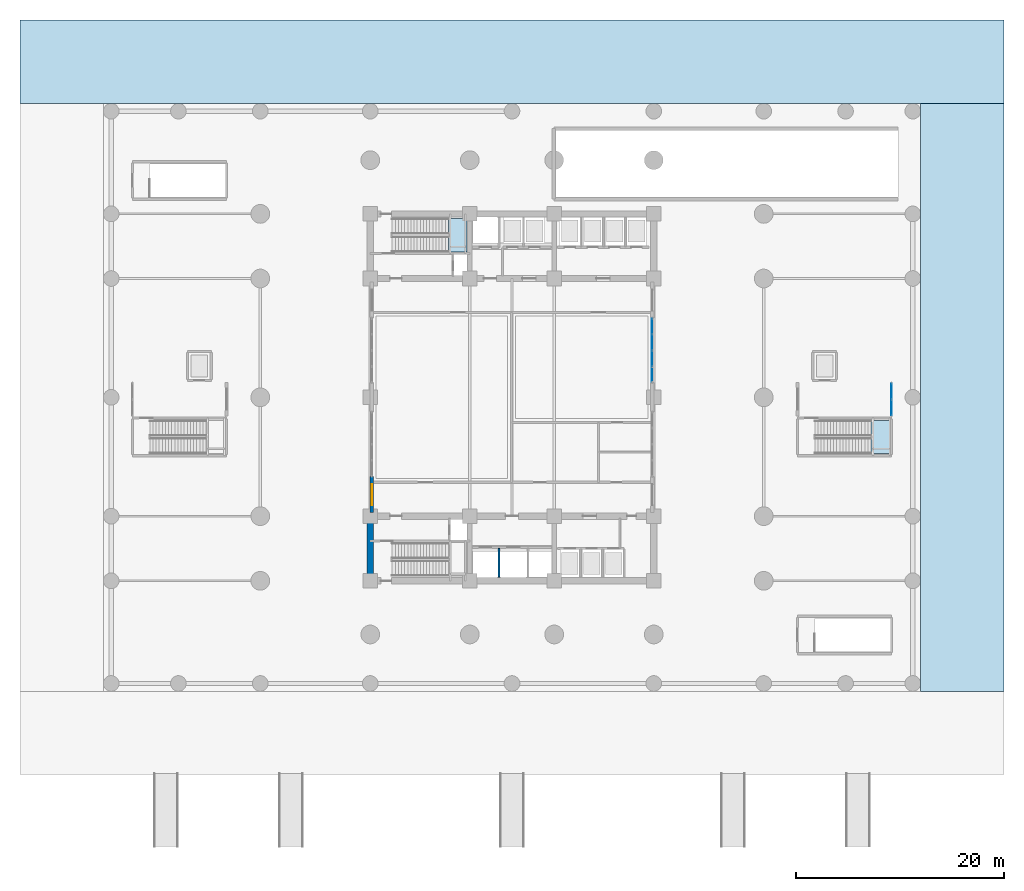
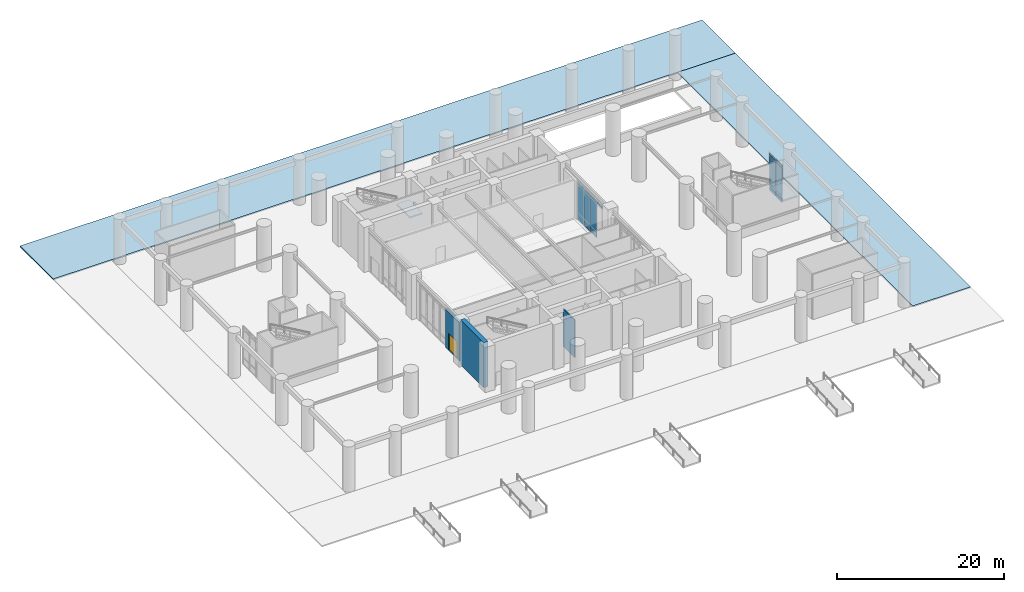
# One storey, part 6 of 16: 16 plates, 4 slabs, 3 walls, 1 door, 1 opening, 4 elements without a shape of their own.
"""IFC4 building model written with IfcOpenShell, lengths in metres."""

from ifc_helpers import new_model, si_unit, direction, frame, frame_2d, origin, origin_2d, place, context, subcontext, project, spatial, polyline, rectangle, outline, extrude, material, layer, layer_set, type_object, element, fill, aggregate, save


model = new_model("IFC4")

# Units and contexts
model_context = context("Model", 3, precision=1e-05, world=origin(), true_north=direction((0.0, 1.0)))
body_context = subcontext(model_context, "Body", "Model", "MODEL_VIEW")
ifc_project = project(units=[si_unit("LENGTHUNIT", "METRE"), si_unit("AREAUNIT", "SQUARE_METRE"), si_unit("VOLUMEUNIT", "CUBIC_METRE"), si_unit("PLANEANGLEUNIT", "RADIAN"), si_unit("MASSUNIT", "GRAM", prefix="KILO")], contexts=[model_context])

# Site, building, storey
site_placement = place(None, origin())
site = spatial("IfcSite", under=ifc_project, at=site_placement, CompositionType="ELEMENT")
building_placement = place(site_placement, origin())
building = spatial("IfcBuilding", under=site, at=building_placement, Name="Svetorya Sky Lyceum", CompositionType="ELEMENT")
storey_placement = place(building_placement, origin())
storey = spatial("IfcBuildingStorey", under=building, at=storey_placement, Name="L00", CompositionType="ELEMENT", Elevation=0.0)

# Curtain wall, plates
ifc_material_1 = material(Name="Thermally broken anodized aluminium and triple low-E glass", Category="aluminium")
curtain_wall_type = type_object("IfcCurtainWallType", Name="CW1-POD-FOY", PredefinedType="NOTDEFINED", material=ifc_material_1)
curtain_wall_1_placement = place(storey_placement, origin())
curtain_wall_1 = element("IfcCurtainWall", 1, at=curtain_wall_1_placement, inside=storey, type_object=curtain_wall_type, Name="Pilotis Foyer Curtain Wall CW-1.E2", PredefinedType="NOTDEFINED")
ifc_material_2 = material(Name="Triple insulated low-E solar-control glass", Category="glass")
ifc_layer_1 = layer(ifc_material_2, 0.048095703125)
ifc_layer_set_1 = layer_set([ifc_layer_1], Name="Triple insulated low-E solar-control glass")
plate_type = type_object("IfcPlateType", Name="CWP-GLZ-48", PredefinedType="CURTAIN_PANEL", material=ifc_layer_set_1)
plate_1_placement = place(storey_placement, frame((52.64990234375, 30.393798828125, 5.166015625), z_axis=(0.0, 0.0, 1.0), x_axis=(0.0, 1.0, 0.0)))
plate_1 = element("IfcPlate", 2, at=plate_1_placement, type_object=plate_type, Name="CW-1 panel 1.3", PredefinedType="CURTAIN_PANEL", context=body_context, shape_type="SweptSolid", body=[
    extrude(rectangle(XDim=1.4404296875, YDim=0.048095703125, at=origin_2d()), origin(), (0.0, 0.0, 1.0), 0.340576171875),
])
plate_2_placement = place(storey_placement, frame((52.64990234375, 31.925048828125, 0.073486328125), z_axis=(0.0, 0.0, 1.0), x_axis=(0.0, 1.0, 0.0)))
plate_2 = element("IfcPlate", 3, at=plate_2_placement, type_object=plate_type, Name="CW-1 panel 2.1", PredefinedType="CURTAIN_PANEL", context=body_context, shape_type="SweptSolid", body=[
    extrude(rectangle(XDim=1.47802734375, YDim=0.048095703125, at=origin_2d()), origin(), (0.0, 0.0, 1.0), 0.9404296875),
])
plate_3_placement = place(storey_placement, frame((52.64990234375, 31.925048828125, 1.0859375), z_axis=(0.0, 0.0, 1.0), x_axis=(0.0, 1.0, 0.0)))
plate_3 = element("IfcPlate", 4, at=plate_3_placement, type_object=plate_type, Name="CW-1 panel 2.2", PredefinedType="CURTAIN_PANEL", context=body_context, shape_type="SweptSolid", body=[
    extrude(rectangle(XDim=1.47802734375, YDim=0.048095703125, at=origin_2d()), origin(), (0.0, 0.0, 1.0), 4.008056640625),
])
plate_4_placement = place(storey_placement, frame((52.64990234375, 31.925048828125, 5.166015625), z_axis=(0.0, 0.0, 1.0), x_axis=(0.0, 1.0, 0.0)))
plate_4 = element("IfcPlate", 5, at=plate_4_placement, type_object=plate_type, Name="CW-1 panel 2.3", PredefinedType="CURTAIN_PANEL", context=body_context, shape_type="SweptSolid", body=[
    extrude(rectangle(XDim=1.47802734375, YDim=0.048095703125, at=origin_2d()), origin(), (0.0, 0.0, 1.0), 0.340576171875),
])
plate_5_placement = place(storey_placement, frame((52.64990234375, 33.47509765625, 0.073486328125), z_axis=(0.0, 0.0, 1.0), x_axis=(0.0, 1.0, 0.0)))
plate_5 = element("IfcPlate", 6, at=plate_5_placement, type_object=plate_type, Name="CW-1 panel 3.1", PredefinedType="CURTAIN_PANEL", context=body_context, shape_type="SweptSolid", body=[
    extrude(rectangle(XDim=1.47802734375, YDim=0.048095703125, at=origin_2d()), origin(), (0.0, 0.0, 1.0), 0.9404296875),
])
plate_6_placement = place(storey_placement, frame((52.64990234375, 33.47509765625, 1.0859375), z_axis=(0.0, 0.0, 1.0), x_axis=(0.0, 1.0, 0.0)))
plate_6 = element("IfcPlate", 7, at=plate_6_placement, type_object=plate_type, Name="CW-1 panel 3.2", PredefinedType="CURTAIN_PANEL", context=body_context, shape_type="SweptSolid", body=[
    extrude(rectangle(XDim=1.47802734375, YDim=0.048095703125, at=origin_2d()), origin(), (0.0, 0.0, 1.0), 4.008056640625),
])
plate_7_placement = place(storey_placement, frame((52.64990234375, 33.47509765625, 5.166015625), z_axis=(0.0, 0.0, 1.0), x_axis=(0.0, 1.0, 0.0)))
plate_7 = element("IfcPlate", 8, at=plate_7_placement, type_object=plate_type, Name="CW-1 panel 3.3", PredefinedType="CURTAIN_PANEL", context=body_context, shape_type="SweptSolid", body=[
    extrude(rectangle(XDim=1.47802734375, YDim=0.048095703125, at=origin_2d()), origin(), (0.0, 0.0, 1.0), 0.340576171875),
])
plate_8_placement = place(storey_placement, frame((52.64990234375, 35.00634765625, 0.073486328125), z_axis=(0.0, 0.0, 1.0), x_axis=(0.0, 1.0, 0.0)))
plate_8 = element("IfcPlate", 9, at=plate_8_placement, type_object=plate_type, Name="CW-1 panel 4.1", PredefinedType="CURTAIN_PANEL", context=body_context, shape_type="SweptSolid", body=[
    extrude(rectangle(XDim=1.4404296875, YDim=0.048095703125, at=origin_2d()), origin(), (0.0, 0.0, 1.0), 0.9404296875),
])
plate_9_placement = place(storey_placement, frame((52.64990234375, 35.00634765625, 1.0859375), z_axis=(0.0, 0.0, 1.0), x_axis=(0.0, 1.0, 0.0)))
plate_9 = element("IfcPlate", 10, at=plate_9_placement, type_object=plate_type, Name="CW-1 panel 4.2", PredefinedType="CURTAIN_PANEL", context=body_context, shape_type="SweptSolid", body=[
    extrude(rectangle(XDim=1.4404296875, YDim=0.048095703125, at=origin_2d()), origin(), (0.0, 0.0, 1.0), 4.008056640625),
])
plate_10_placement = place(storey_placement, frame((52.64990234375, 35.00634765625, 5.166015625), z_axis=(0.0, 0.0, 1.0), x_axis=(0.0, 1.0, 0.0)))
plate_10 = element("IfcPlate", 11, at=plate_10_placement, type_object=plate_type, Name="CW-1 panel 4.3", PredefinedType="CURTAIN_PANEL", context=body_context, shape_type="SweptSolid", body=[
    extrude(rectangle(XDim=1.4404296875, YDim=0.048095703125, at=origin_2d()), origin(), (0.0, 0.0, 1.0), 0.340576171875),
])
aggregate(curtain_wall_1, [plate_1, plate_2, plate_3, plate_4, plate_5, plate_6, plate_7, plate_8, plate_9, plate_10])

curtain_wall_2_placement = place(storey_placement, origin())
curtain_wall_2 = element("IfcCurtainWall", 12, at=curtain_wall_2_placement, inside=storey, type_object=curtain_wall_type, Name="Lyceum Ground Vestibule Curtain Wall E", PredefinedType="NOTDEFINED")
plate_11_placement = place(storey_placement, frame((75.60009765625, 27.21875, 0.073486328125), z_axis=(0.0, 0.0, 1.0), x_axis=(0.0, 1.0, 0.0)))
plate_11 = element("IfcPlate", 13, at=plate_11_placement, type_object=plate_type, Name="CW-1 panel 1.1", PredefinedType="CURTAIN_PANEL", context=body_context, shape_type="SweptSolid", body=[
    extrude(rectangle(XDim=1.490478515625, YDim=0.048095703125, at=origin_2d()), origin(), (0.0, 0.0, 1.0), 0.9404296875),
])
plate_12_placement = place(storey_placement, frame((75.60009765625, 27.21875, 1.0859375), z_axis=(0.0, 0.0, 1.0), x_axis=(0.0, 1.0, 0.0)))
plate_12 = element("IfcPlate", 14, at=plate_12_placement, type_object=plate_type, Name="CW-1 panel 1.2", PredefinedType="CURTAIN_PANEL", context=body_context, shape_type="SweptSolid", body=[
    extrude(rectangle(XDim=1.490478515625, YDim=0.048095703125, at=origin_2d()), origin(), (0.0, 0.0, 1.0), 4.008056640625),
])
plate_13_placement = place(storey_placement, frame((75.60009765625, 27.21875, 5.166015625), z_axis=(0.0, 0.0, 1.0), x_axis=(0.0, 1.0, 0.0)))
plate_13 = element("IfcPlate", 15, at=plate_13_placement, type_object=plate_type, Name="CW-1 panel 1.3", PredefinedType="CURTAIN_PANEL", context=body_context, shape_type="SweptSolid", body=[
    extrude(rectangle(XDim=1.490478515625, YDim=0.048095703125, at=origin_2d()), origin(), (0.0, 0.0, 1.0), 0.340576171875),
])
plate_14_placement = place(storey_placement, frame((75.60009765625, 28.78125, 0.073486328125), z_axis=(0.0, 0.0, 1.0), x_axis=(0.0, 1.0, 0.0)))
plate_14 = element("IfcPlate", 16, at=plate_14_placement, type_object=plate_type, Name="CW-1 panel 2.1", PredefinedType="CURTAIN_PANEL", context=body_context, shape_type="SweptSolid", body=[
    extrude(rectangle(XDim=1.490478515625, YDim=0.048095703125, at=origin_2d()), origin(), (0.0, 0.0, 1.0), 0.9404296875),
])
plate_15_placement = place(storey_placement, frame((75.60009765625, 28.78125, 1.0859375), z_axis=(0.0, 0.0, 1.0), x_axis=(0.0, 1.0, 0.0)))
plate_15 = element("IfcPlate", 17, at=plate_15_placement, type_object=plate_type, Name="CW-1 panel 2.2", PredefinedType="CURTAIN_PANEL", context=body_context, shape_type="SweptSolid", body=[
    extrude(rectangle(XDim=1.490478515625, YDim=0.048095703125, at=origin_2d()), origin(), (0.0, 0.0, 1.0), 4.008056640625),
])
plate_16_placement = place(storey_placement, frame((75.60009765625, 28.78125, 5.166015625), z_axis=(0.0, 0.0, 1.0), x_axis=(0.0, 1.0, 0.0)))
plate_16 = element("IfcPlate", 18, at=plate_16_placement, type_object=plate_type, Name="CW-1 panel 2.3", PredefinedType="CURTAIN_PANEL", context=body_context, shape_type="SweptSolid", body=[
    extrude(rectangle(XDim=1.490478515625, YDim=0.048095703125, at=origin_2d()), origin(), (0.0, 0.0, 1.0), 0.340576171875),
])
aggregate(curtain_wall_2, [plate_11, plate_12, plate_13, plate_14, plate_15, plate_16])

# Slabs
ifc_material_3 = material(Name="Karelian light granite paving on Concrete C40/50", Category="masonry")
ifc_layer_2 = layer(ifc_material_3, 0.179931640625)
ifc_layer_set_2 = layer_set([ifc_layer_2], Name="Karelian light granite paving on Concrete C40/50")
slab_type_1 = type_object("IfcSlabType", Name="SL-PLAZA-180", PredefinedType="USERDEFINED", material=ifc_layer_set_2)
slab_1_placement = place(storey_placement, frame((0.0, 0.0, -0.179931640625)))
element("IfcSlab", 19, at=slab_1_placement, inside=storey, type_object=slab_type_1, Name="Forecourt Karelian Granite Plaza N", ObjectType="PAVING", PredefinedType="USERDEFINED", context=body_context, shape_type="SweptSolid", body=[
    extrude(outline(polyline([(-8.0, 56.39990234375), (86.39990234375, 56.39990234375), (86.39990234375, 64.39990234375), (-8.0, 64.39990234375), (-8.0, 56.39990234375)])), origin(), (0.0, 0.0, 1.0), 0.179931640625),
])
slab_2_placement = place(storey_placement, frame((0.0, 0.0, -0.179931640625)))
element("IfcSlab", 20, at=slab_2_placement, inside=storey, type_object=slab_type_1, Name="Forecourt Karelian Granite Plaza E", ObjectType="PAVING", PredefinedType="USERDEFINED", context=body_context, shape_type="SweptSolid", body=[
    extrude(outline(polyline([(78.39990234375, 0.0), (86.39990234375, 0.0), (86.39990234375, 56.39990234375), (78.39990234375, 56.39990234375), (78.39990234375, 0.0)])), origin(), (0.0, 0.0, 1.0), 0.179931640625),
])

# Stair, slab
ifc_material_4 = material(Name="Concrete C40/50", Category="concrete")
stair_type_1 = type_object("IfcStairType", Name="STR-ST-N", PredefinedType="HALF_TURN_STAIR", material=ifc_material_4)
stair_1_placement = place(storey_placement, origin())
stair_1 = element("IfcStair", 21, at=stair_1_placement, inside=storey, type_object=stair_type_1, Name="L00 North Core Smoke-Free Exit Stair N3", PredefinedType="HALF_TURN_STAIR")
ifc_layer_3 = layer(ifc_material_4, 0.199951171875)
ifc_layer_set_3 = layer_set([ifc_layer_3], Name="Concrete C40/50")
slab_type_2 = type_object("IfcSlabType", Name="SL-STR-LAND-200", PredefinedType="LANDING", material=ifc_layer_set_3)
slab_3_placement = place(storey_placement, frame((0.0, 0.0, 3.10009765625)))
slab_3 = element("IfcSlab", 22, at=slab_3_placement, type_object=slab_type_2, Name="ST-N landing 1", PredefinedType="LANDING", context=body_context, shape_type="SweptSolid", body=[
    extrude(outline(polyline([(33.10009765625, 42.14990234375), (34.89990234375, 42.14990234375), (34.89990234375, 45.35009765625), (33.10009765625, 45.35009765625), (33.10009765625, 42.14990234375)])), origin(), (0.0, 0.0, 1.0), 0.199951171875),
])
aggregate(stair_1, [slab_3])

stair_type_2 = type_object("IfcStairType", Name="STR-ST-SCH-E", PredefinedType="HALF_TURN_STAIR", material=ifc_material_4)
stair_2_placement = place(storey_placement, origin())
stair_2 = element("IfcStair", 23, at=stair_2_placement, inside=storey, type_object=stair_type_2, Name="L00 East Lyceum Podium Dedicated Stair", PredefinedType="HALF_TURN_STAIR")
slab_4_placement = place(storey_placement, frame((0.0, 0.0, 3.10009765625)))
slab_4 = element("IfcSlab", 24, at=slab_4_placement, type_object=slab_type_2, Name="ST-SCH-E landing 1", PredefinedType="LANDING", context=body_context, shape_type="SweptSolid", body=[
    extrude(outline(polyline([(73.64990234375, 22.800048828125), (75.60009765625, 22.800048828125), (75.60009765625, 26.0), (73.64990234375, 26.0), (73.64990234375, 22.800048828125)])), origin(), (0.0, 0.0, 1.0), 0.199951171875),
])
aggregate(stair_2, [slab_4])

# Wall
ifc_material_5 = material(Name="Concrete C60/75", Category="concrete")
ifc_layer_4 = layer(ifc_material_5, 0.60009765625)
ifc_layer_set_4 = layer_set([ifc_layer_4], Name="Concrete C60/75")
wall_type_1 = type_object("IfcWallType", Name="WL-CORE-600", PredefinedType="SHEAR", material=ifc_layer_set_4)
wall_1_placement = place(storey_placement, frame((25.60009765625, 10.89990234375, 0.0), z_axis=(0.0, 0.0, 1.0), x_axis=(0.0, 1.0, 0.0)))
element("IfcWall", 25, at=wall_1_placement, inside=storey, type_object=wall_type_1, Name="L00 SC West Core Shear Wall", PredefinedType="SHEAR", context=body_context, shape_type="SweptSolid", body=[
    extrude(rectangle(XDim=5.60009765625, YDim=0.60009765625, at=frame_2d((2.800048828125, 0.0))), origin(), (0.0, 0.0, 1.0), 6.60009765625),
])

# Wall, opening, door
ifc_material_6 = material(Name="Putilovo limestone rainscreen on autoclaved cellular masonry", Category="masonry")
ifc_layer_5 = layer(ifc_material_6, 0.340087890625)
ifc_layer_set_5 = layer_set([ifc_layer_5], Name="Putilovo limestone rainscreen on autoclaved cellular masonry")
wall_type_2 = type_object("IfcWallType", Name="WL-EXT-340", PredefinedType="SOLIDWALL", material=ifc_layer_set_5)
wall_2_placement = place(storey_placement, frame((25.75, 17.14990234375, 0.0), z_axis=(0.0, 0.0, 1.0), x_axis=(0.0, 1.0, 0.0)))
wall_2 = element("IfcWall", 26, at=wall_2_placement, inside=storey, type_object=wall_type_2, Name="L00 Pilotis Foyer Pier W1", PredefinedType="SOLIDWALL", context=body_context, shape_type="SweptSolid", body=[
    extrude(rectangle(XDim=3.4501953125, YDim=0.340087890625, at=frame_2d((1.72509765625, 0.0))), origin(), (0.0, 0.0, 1.0), 5.580078125),
])
opening_placement = place(wall_2_placement, frame((0.699951171875, 0.0, 0.0)))
opening = element("IfcOpeningElement", 27, at=opening_placement, cuts=wall_2, Name="Opening D-E1", PredefinedType="OPENING", context=body_context, shape_type="SweptSolid", body=[
    extrude(rectangle(XDim=2.0, YDim=2.449951171875, at=frame_2d((1.0, 1.22509765625))), frame((0.0, 0.179931640625, 0.0), z_axis=(0.0, -1.0, 0.0), x_axis=(1.0, 0.0, 0.0)), (0.0, 0.0, 1.0), 0.360107421875),
])
ifc_material_7 = material(Name="Thermally broken glazed bronze-anodized aluminium", Category="aluminium")
door_type = type_object("IfcDoorType", Name="DR-ENT-2000", OperationType="DOUBLE_DOOR_SINGLE_SWING", PredefinedType="DOOR", material=ifc_material_7)
door_placement = place(opening_placement, origin())
door = element("IfcDoor", 28, at=door_placement, inside=storey, type_object=door_type, Name="Main Residential West Pilotis Entrance", OperationType="DOUBLE_DOOR_SINGLE_SWING", OverallHeight=2.449951171875, OverallWidth=2.0, PredefinedType="DOOR", context=body_context, shape_type="SweptSolid", body=[
    extrude(rectangle(XDim=2.0, YDim=2.449951171875, at=frame_2d((1.0, 1.22509765625))), frame((0.0, 0.02490234375, 0.0), z_axis=(0.0, -1.0, 0.0), x_axis=(1.0, 0.0, 0.0)), (0.0, 0.0, 1.0), 0.050048828125),
])
fill(opening, door)

# Wall
ifc_material_8 = material(Name="Autoclaved cellular masonry blockwork with acoustic render", Category="masonry")
ifc_layer_6 = layer(ifc_material_8, 0.14990234375)
ifc_layer_set_6 = layer_set([ifc_layer_6], Name="Autoclaved cellular masonry blockwork with acoustic render")
wall_type_3 = type_object("IfcWallType", Name="WL-PART-150", PredefinedType="PARTITIONING", material=ifc_layer_set_6)
wall_3_placement = place(storey_placement, frame((37.949951171875, 10.949951171875, 0.0), z_axis=(0.0, 0.0, 1.0), x_axis=(0.0, 1.0, 0.0)))
element("IfcWall", 29, at=wall_3_placement, inside=storey, type_object=wall_type_3, Name="L00 Interior Partition SC-SHD1", PredefinedType="PARTITIONING", context=body_context, shape_type="SweptSolid", body=[
    extrude(rectangle(XDim=2.75, YDim=0.14990234375, at=frame_2d((1.375, 0.0))), origin(), (0.0, 0.0, 1.0), 5.52001953125),
])

save(model, "model.ifc")
